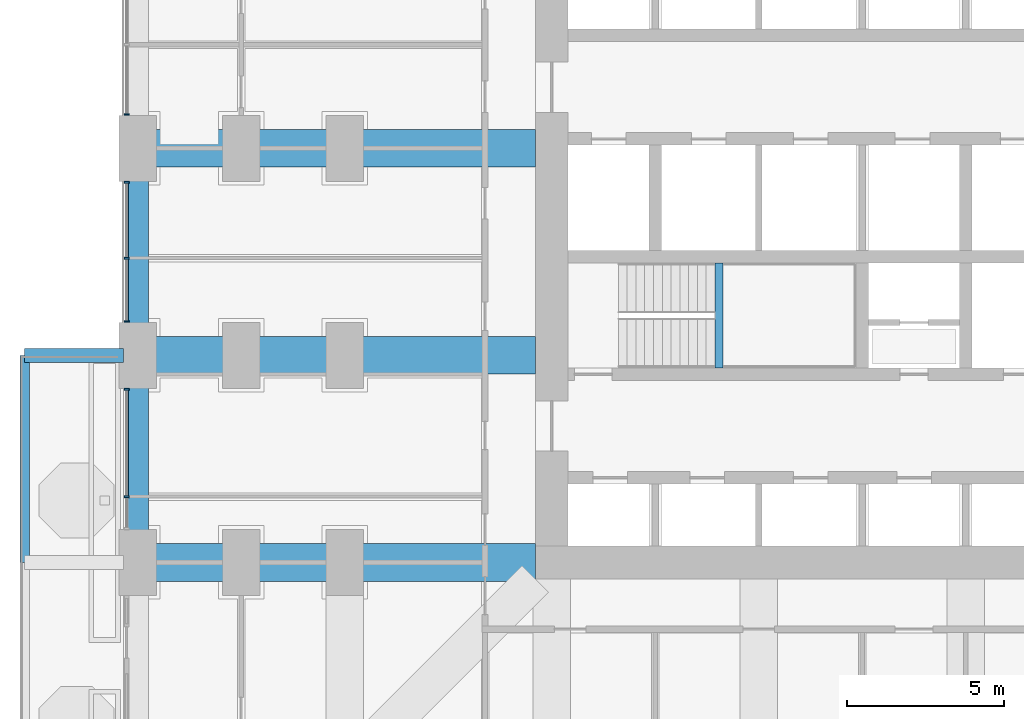
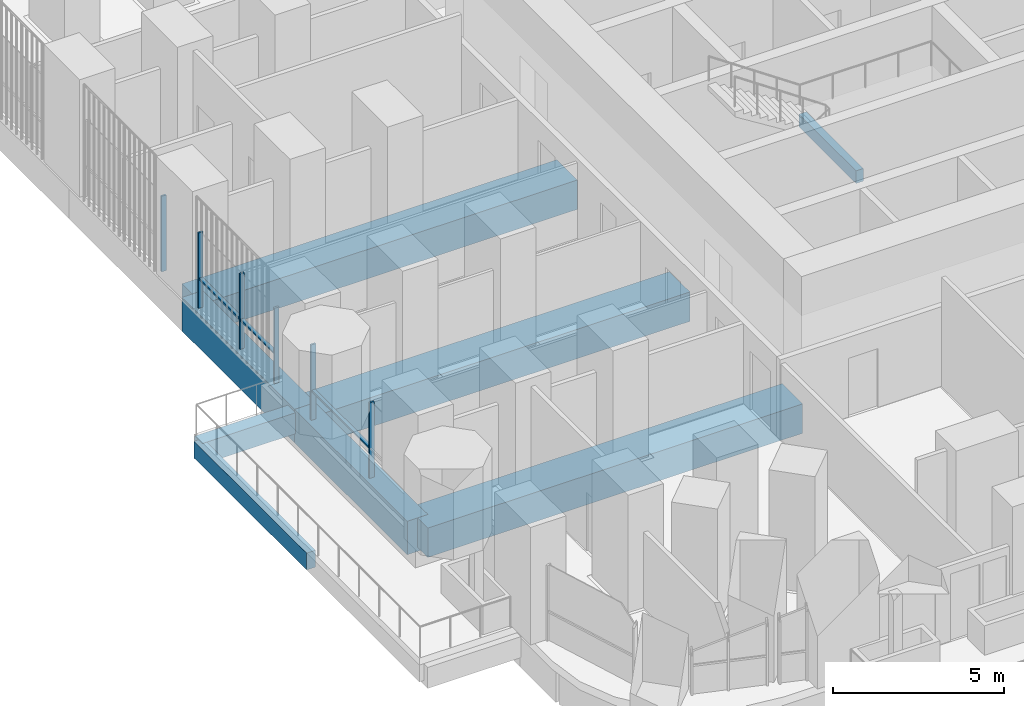
# One storey, part 4 of 27: 9 members, 8 beams, 3 elements without a shape of their own.
"""IFC4 building model written with IfcOpenShell, lengths in metres."""

from ifc_helpers import new_model, si_unit, direction, frame, origin, origin_2d, place, context, subcontext, project, spatial, rectangle, extrude, material, material_profile, profile_set, type_object, element, aggregate, save


model = new_model("IFC4")

# Units and contexts
model_context = context("Model", 3, precision=1e-05, world=origin(), true_north=direction((0.0, 1.0)))
body_context = subcontext(model_context, "Body", "Model", "MODEL_VIEW")
ifc_project = project(units=[si_unit("LENGTHUNIT", "METRE"), si_unit("AREAUNIT", "SQUARE_METRE"), si_unit("VOLUMEUNIT", "CUBIC_METRE"), si_unit("PLANEANGLEUNIT", "RADIAN"), si_unit("MASSUNIT", "GRAM", prefix="KILO")], contexts=[model_context])

# Site, building, storey
site_placement = place(None, origin())
site = spatial("IfcSite", under=ifc_project, at=site_placement, CompositionType="ELEMENT")
building_placement = place(site_placement, origin())
building = spatial("IfcBuilding", under=site, at=building_placement, Name="Cobogo Forest Laboratory Tower", CompositionType="ELEMENT")
storey_placement = place(building_placement, frame((0.0, 0.0, 38.10009765625)))
storey = spatial("IfcBuildingStorey", under=building, at=storey_placement, Name="L08", CompositionType="ELEMENT", Elevation=38.10009765625)

# Beams
ifc_material_1 = material(Name="Concrete HA-40 (C40/50)", Category="concrete")
ifc_material_profile_1 = material_profile(ifc_material_1, rectangle(XDim=0.449951171875, YDim=0.75, at=origin_2d()), Name="RC 450x750")
ifc_profile_set_1 = profile_set([ifc_material_profile_1], Name="Concrete HA-40 (C40/50)")
beam_type_1 = type_object("IfcBeamType", Name="Balcony cantilever beam 450x750", PredefinedType="BEAM", material=ifc_profile_set_1)
beam_1_placement = place(storey_placement, frame((-0.449951171875, 19.800048828125, -0.625), z_axis=(-1.0, 0.0, 0.0), x_axis=(0.0, -1.0, 0.0)))
element("IfcBeam", 1, at=beam_1_placement, inside=storey, type_object=beam_type_1, Name="CB1 BAL-W1-C3 L08", PredefinedType="BEAM", context=body_context, shape_type="SweptSolid", body=[
    extrude(rectangle(XDim=0.449951171875, YDim=0.75, at=origin_2d()), origin(), (0.0, 0.0, 1.0), 3.150146484375),
])
ifc_material_profile_2 = material_profile(ifc_material_1, rectangle(XDim=0.300048828125, YDim=0.60009765625, at=origin_2d()), Name="RC 300x600")
ifc_profile_set_2 = profile_set([ifc_material_profile_2], Name="Concrete HA-40 (C40/50)")
beam_type_2 = type_object("IfcBeamType", Name="Balcony edge beam 300x600", PredefinedType="BEAM", material=ifc_profile_set_2)
beam_2_placement = place(storey_placement, frame((-3.60009765625, 13.199951171875, -0.550048828125), z_axis=(0.0, 1.0, 0.0), x_axis=(-1.0, 0.0, 0.0)))
element("IfcBeam", 2, at=beam_2_placement, inside=storey, type_object=beam_type_2, Name="BB1 BAL-W1-T2 L08", PredefinedType="BEAM", context=body_context, shape_type="SweptSolid", body=[
    extrude(rectangle(XDim=0.300048828125, YDim=0.60009765625, at=origin_2d()), origin(), (0.0, 0.0, 1.0), 6.60009765625),
])
ifc_material_profile_3 = material_profile(ifc_material_1, rectangle(XDim=0.25, YDim=0.449951171875, at=origin_2d()), Name="RC 250x450")
ifc_profile_set_3 = profile_set([ifc_material_profile_3], Name="Concrete HA-40 (C40/50)")
beam_type_3 = type_object("IfcBeamType", Name="LB1 landing beam 250x450", PredefinedType="BEAM", material=ifc_profile_set_3)
beam_3_placement = place(storey_placement, frame((18.530029296875, 19.39990234375, 1.6748046875), z_axis=(0.0, 1.0, 0.0), x_axis=(-1.0, 0.0, 0.0)))
element("IfcBeam", 3, at=beam_3_placement, inside=storey, type_object=beam_type_3, Name="Landing beam ST1 L08", PredefinedType="BEAM", context=body_context, shape_type="SweptSolid", body=[
    extrude(rectangle(XDim=0.25, YDim=0.449951171875, at=origin_2d()), origin(), (0.0, 0.0, 1.0), 3.35009765625),
])
ifc_material_profile_4 = material_profile(ifc_material_1, rectangle(XDim=1.199951171875, YDim=1.050048828125, at=origin_2d()), Name="RC 1200x1050")
ifc_profile_set_4 = profile_set([ifc_material_profile_4], Name="Concrete HA-40 (C40/50)")
beam_type_4 = type_object("IfcBeamType", Name="Laboratory floor wide beam 1200x1050", PredefinedType="BEAM", material=ifc_profile_set_4)
for number, where, z_axis, x_axis, name in (
    (4, (12.675048828125, 13.199951171875, -0.8251953125), (-1.0, 0.0, 0.0), (0.0, -1.0, 0.0), "RB1 R-C-W L08"),
    (5, (12.675048828125, 19.800048828125, -0.8251953125), (-1.0, 0.0, 0.0), (0.0, -1.0, 0.0), "RB1 R-D-W L08"),
    (6, (12.675048828125, 26.39990234375, -0.8251953125), (-1.0, 0.0, 0.0), (0.0, -1.0, 0.0), "RB1 R-E-W L08"),
):
    element("IfcBeam", number, at=place(storey_placement, frame(where, z_axis=z_axis, x_axis=x_axis)), inside=storey, type_object=beam_type_4, Name=name, PredefinedType="BEAM", context=body_context, shape_type="SweptSolid", body=[
        extrude(rectangle(XDim=1.199951171875, YDim=1.050048828125, at=origin_2d()), origin(), (0.0, 0.0, 1.0), 12.675048828125),
    ])

# Curtain wall, member
ifc_material_2 = material(Name="Aluminium curtain wall", Category="aluminium")
curtain_wall_type = type_object("IfcCurtainWallType", Name="CW-1 unitised curtain wall, clear glazing, laboratory floors zones A and B", PredefinedType="USERDEFINED", material=ifc_material_2)
curtain_wall_1_placement = place(storey_placement, origin())
curtain_wall_1 = element("IfcCurtainWall", 7, at=curtain_wall_1_placement, inside=storey, type_object=curtain_wall_type, Name="Curtain wall 28 L08", ObjectType="UNITISED CURTAIN WALL", PredefinedType="USERDEFINED")
ifc_material_3 = material(Name="Aluminium mullion", Category="aluminium")
ifc_material_profile_5 = material_profile(ifc_material_3, rectangle(XDim=0.06005859375, YDim=0.159912109375, at=origin_2d()), Name="AL 60x160")
ifc_profile_set_5 = profile_set([ifc_material_profile_5], Name="Aluminium mullion")
member_type_1 = type_object("IfcMemberType", Name="MU-1 aluminium mullion 60x160", PredefinedType="MULLION", material=ifc_profile_set_5)
member_1_placement = place(storey_placement, frame((-0.35009765625, 27.47998046875, 0.0), z_axis=(0.0, 0.0, 1.0), x_axis=(0.0, -1.0, 0.0)))
member_1 = element("IfcMember", 8, at=member_1_placement, type_object=member_type_1, Name="CW-1 mullion 3", PredefinedType="MULLION", context=body_context, shape_type="SweptSolid", body=[
    extrude(rectangle(XDim=0.06005859375, YDim=0.159912109375, at=origin_2d()), origin(), (0.0, 0.0, 1.0), 2.699951171875),
])
aggregate(curtain_wall_1, [member_1])

# Curtain wall, members
curtain_wall_2_placement = place(storey_placement, origin())
curtain_wall_2 = element("IfcCurtainWall", 9, at=curtain_wall_2_placement, inside=storey, type_object=curtain_wall_type, Name="Curtain wall 29 L08", ObjectType="UNITISED CURTAIN WALL", PredefinedType="USERDEFINED")
member_2_placement = place(storey_placement, frame((-0.35009765625, 25.320068359375, 0.0), z_axis=(0.0, 0.0, 1.0), x_axis=(0.0, -1.0, 0.0)))
member_2 = element("IfcMember", 10, at=member_2_placement, type_object=member_type_1, Name="CW-1 mullion 1", PredefinedType="MULLION", context=body_context, shape_type="SweptSolid", body=[
    extrude(rectangle(XDim=0.06005859375, YDim=0.159912109375, at=origin_2d()), origin(), (0.0, 0.0, 1.0), 2.699951171875),
])
member_3_placement = place(storey_placement, frame((-0.35009765625, 22.89990234375, 0.0), z_axis=(0.0, 0.0, 1.0), x_axis=(0.0, -1.0, 0.0)))
member_3 = element("IfcMember", 11, at=member_3_placement, type_object=member_type_1, Name="CW-1 mullion 2", PredefinedType="MULLION", context=body_context, shape_type="SweptSolid", body=[
    extrude(rectangle(XDim=0.06005859375, YDim=0.159912109375, at=origin_2d()), origin(), (0.0, 0.0, 1.0), 2.699951171875),
])
member_4_placement = place(storey_placement, frame((-0.35009765625, 20.8798828125, 0.0), z_axis=(0.0, 0.0, 1.0), x_axis=(0.0, -1.0, 0.0)))
member_4 = element("IfcMember", 12, at=member_4_placement, type_object=member_type_1, Name="CW-1 mullion 3", PredefinedType="MULLION", context=body_context, shape_type="SweptSolid", body=[
    extrude(rectangle(XDim=0.06005859375, YDim=0.159912109375, at=origin_2d()), origin(), (0.0, 0.0, 1.0), 2.699951171875),
])

curtain_wall_3_placement = place(storey_placement, origin())
curtain_wall_3 = element("IfcCurtainWall", 13, at=curtain_wall_3_placement, inside=storey, type_object=curtain_wall_type, Name="Curtain wall 30 L08", ObjectType="UNITISED CURTAIN WALL", PredefinedType="USERDEFINED")
member_5_placement = place(storey_placement, frame((-0.35009765625, 18.719970703125, 0.0), z_axis=(0.0, 0.0, 1.0), x_axis=(0.0, -1.0, 0.0)))
member_5 = element("IfcMember", 14, at=member_5_placement, type_object=member_type_1, Name="CW-1 mullion 1", PredefinedType="MULLION", context=body_context, shape_type="SweptSolid", body=[
    extrude(rectangle(XDim=0.06005859375, YDim=0.159912109375, at=origin_2d()), origin(), (0.0, 0.0, 1.0), 2.699951171875),
])
member_6_placement = place(storey_placement, frame((-0.35009765625, 15.300048828125, 0.0), z_axis=(0.0, 0.0, 1.0), x_axis=(0.0, -1.0, 0.0)))
member_6 = element("IfcMember", 15, at=member_6_placement, type_object=member_type_1, Name="CW-1 mullion 2", PredefinedType="MULLION", context=body_context, shape_type="SweptSolid", body=[
    extrude(rectangle(XDim=0.06005859375, YDim=0.159912109375, at=origin_2d()), origin(), (0.0, 0.0, 1.0), 2.699951171875),
])

# Beams
ifc_material_profile_6 = material_profile(ifc_material_1, rectangle(XDim=0.699951171875, YDim=1.199951171875, at=origin_2d()), Name="RC 700x1200")
ifc_profile_set_6 = profile_set([ifc_material_profile_6], Name="Concrete HA-40 (C40/50)")
beam_type_5 = type_object("IfcBeamType", Name="Perimeter edge beam 700x1200", PredefinedType="BEAM", material=ifc_profile_set_6)
beam_4_placement = place(storey_placement, frame((0.0, 13.199951171875, -0.900146484375), z_axis=(0.0, 1.0, 0.0), x_axis=(-1.0, 0.0, 0.0)))
element("IfcBeam", 16, at=beam_4_placement, inside=storey, type_object=beam_type_5, Name="EB1 E-W2 L08", PredefinedType="BEAM", context=body_context, shape_type="SweptSolid", body=[
    extrude(rectangle(XDim=0.699951171875, YDim=1.199951171875, at=origin_2d()), origin(), (0.0, 0.0, 1.0), 6.60009765625),
])
beam_5_placement = place(storey_placement, frame((0.0, 19.800048828125, -0.900146484375), z_axis=(0.0, 1.0, 0.0), x_axis=(-1.0, 0.0, 0.0)))
element("IfcBeam", 17, at=beam_5_placement, inside=storey, type_object=beam_type_5, Name="EB1 E-W3 L08", PredefinedType="BEAM", context=body_context, shape_type="SweptSolid", body=[
    extrude(rectangle(XDim=0.699951171875, YDim=1.199951171875, at=origin_2d()), origin(), (0.0, 0.0, 1.0), 6.599853515625),
])

# Member
ifc_material_4 = material(Name="Aluminium transom", Category="aluminium")
ifc_material_profile_7 = material_profile(ifc_material_4, rectangle(XDim=0.1201171875, YDim=0.06005859375, at=origin_2d()), Name="AL 60x120")
ifc_profile_set_7 = profile_set([ifc_material_profile_7], Name="Aluminium transom")
member_type_2 = type_object("IfcMemberType", Name="TR-1 aluminium transom 60x120", PredefinedType="USERDEFINED", material=ifc_profile_set_7)
member_7_placement = place(storey_placement, frame((-0.35009765625, 25.2900390625, 1.0498046875), z_axis=(0.0, -1.0, 0.0), x_axis=(1.0, 0.0, 0.0)))
member_7 = element("IfcMember", 18, at=member_7_placement, type_object=member_type_2, Name="CW-1 transom 1.1", ObjectType="TRANSOM", PredefinedType="USERDEFINED", context=body_context, shape_type="SweptSolid", body=[
    extrude(rectangle(XDim=0.1201171875, YDim=0.06005859375, at=origin_2d()), origin(), (0.0, 0.0, 1.0), 2.360107421875),
])

member_8_placement = place(storey_placement, frame((-0.35009765625, 22.8701171875, 1.0498046875), z_axis=(0.0, -1.0, 0.0), x_axis=(1.0, 0.0, 0.0)))
member_8 = element("IfcMember", 19, at=member_8_placement, type_object=member_type_2, Name="CW-1 transom 2.1", ObjectType="TRANSOM", PredefinedType="USERDEFINED", context=body_context, shape_type="SweptSolid", body=[
    extrude(rectangle(XDim=0.1201171875, YDim=0.06005859375, at=origin_2d()), origin(), (0.0, 0.0, 1.0), 1.960205078125),
])

aggregate(curtain_wall_2, [member_2, member_3, member_4, member_7, member_8])

member_9_placement = place(storey_placement, frame((-0.35009765625, 18.68994140625, 1.0498046875), z_axis=(0.0, -1.0, 0.0), x_axis=(1.0, 0.0, 0.0)))
member_9 = element("IfcMember", 20, at=member_9_placement, type_object=member_type_2, Name="CW-1 transom 1.1", ObjectType="TRANSOM", PredefinedType="USERDEFINED", context=body_context, shape_type="SweptSolid", body=[
    extrude(rectangle(XDim=0.1201171875, YDim=0.06005859375, at=origin_2d()), origin(), (0.0, 0.0, 1.0), 3.35986328125),
])

aggregate(curtain_wall_3, [member_5, member_6, member_9])

save(model, "model.ifc")
